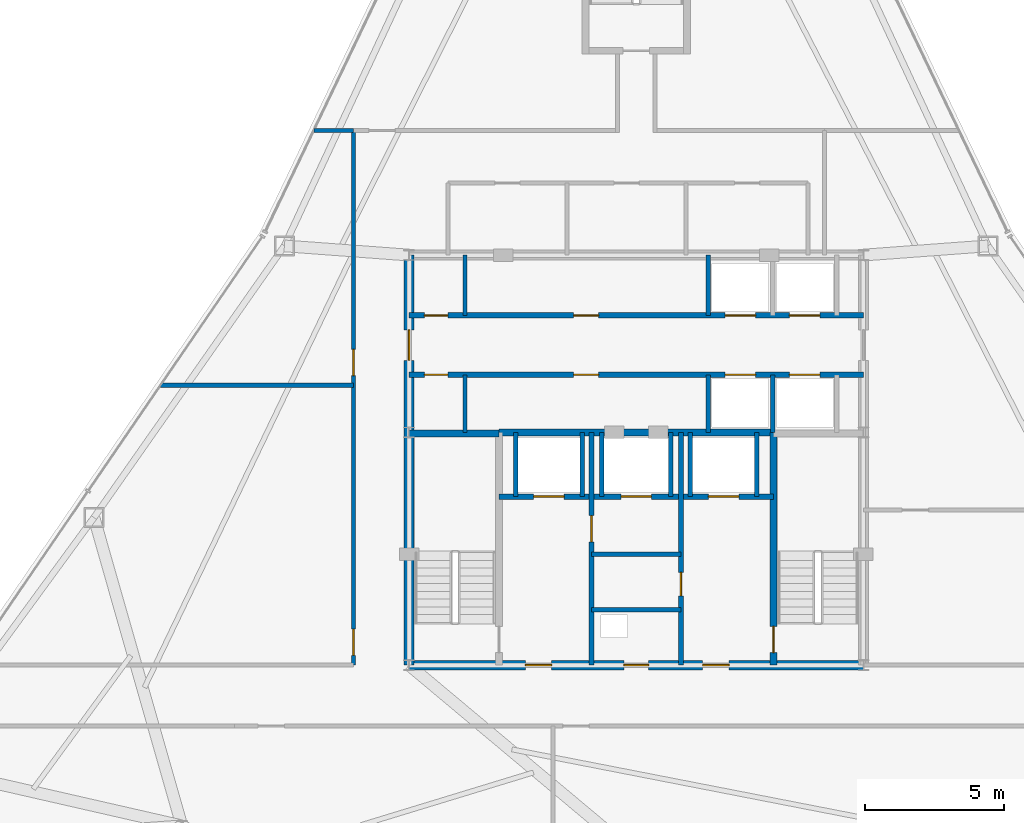
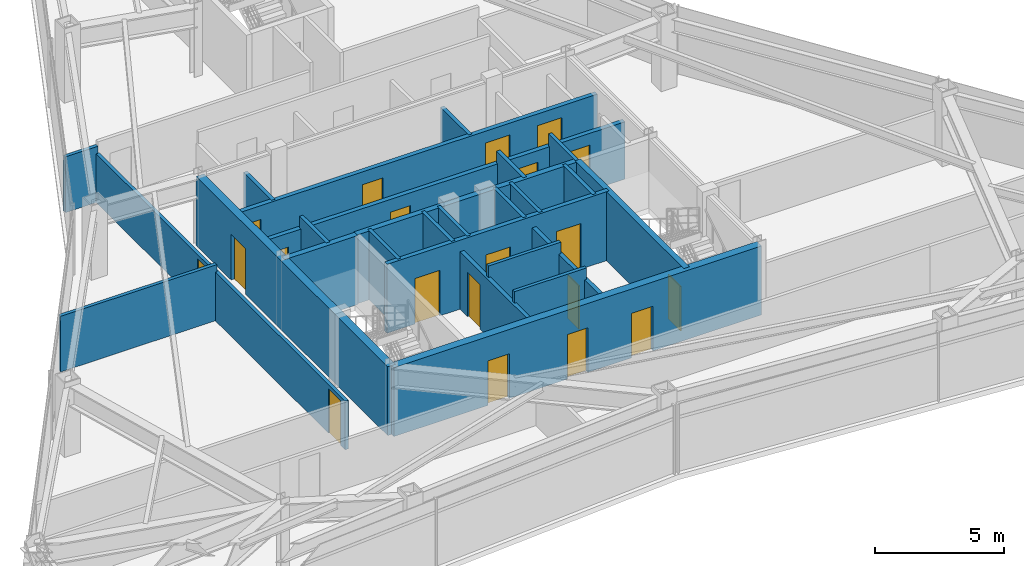
# One storey, part 9 of 11: 26 walls, 20 doors, 20 openings.
"""IFC4 building model written with IfcOpenShell, lengths in metres."""

from ifc_helpers import new_model, si_unit, direction, frame, frame_2d, origin, place, context, subcontext, project, spatial, rectangle, extrude, material, layer, layer_set, type_object, element, fill, save


model = new_model("IFC4")

# Units and contexts
model_context = context("Model", 3, precision=1e-05, world=origin(), true_north=direction((0.0, 1.0)))
body_context = subcontext(model_context, "Body", "Model", "MODEL_VIEW")
ifc_project = project(units=[si_unit("LENGTHUNIT", "METRE"), si_unit("AREAUNIT", "SQUARE_METRE"), si_unit("VOLUMEUNIT", "CUBIC_METRE"), si_unit("PLANEANGLEUNIT", "RADIAN"), si_unit("MASSUNIT", "GRAM", prefix="KILO")], contexts=[model_context])

# Site, building, storey
site_placement = place(None, origin())
site = spatial("IfcSite", under=ifc_project, at=site_placement, CompositionType="ELEMENT")
building_placement = place(site_placement, origin())
building = spatial("IfcBuilding", under=site, at=building_placement, Name="Varakhsha Concourse Tower", CompositionType="ELEMENT")
storey_placement = place(building_placement, frame((0.0, 0.0, 215.39990234375)))
storey = spatial("IfcBuildingStorey", under=building, at=storey_placement, Name="L61", CompositionType="ELEMENT", Elevation=215.39990234375)

# Wall, openings, doors
ifc_material_1 = material(Name="Concrete fc 65 MPa", Category="concrete")
ifc_layer_1 = layer(ifc_material_1, 0.35009765625, Name="WL-CORE-350")
ifc_layer_set_1 = layer_set([ifc_layer_1], Name="Concrete fc 65 MPa")
wall_type_1 = type_object("IfcWallType", Name="WL-CORE-350", PredefinedType="SHEAR", material=ifc_layer_set_1)
wall_1_placement = place(storey_placement, frame((31.800048828125, 16.39990234375, 0.0), z_axis=(0.0, 0.0, 1.0), x_axis=(1.0, 0.0, 0.0)))
wall_1 = element("IfcWall", 1, at=wall_1_placement, inside=storey, type_object=wall_type_1, Name="L61 Wall CWALL-S-L61", PredefinedType="SHEAR", context=body_context, shape_type="SweptSolid", body=[
    extrude(rectangle(XDim=16.39990234375, YDim=0.35009765625, at=frame_2d((8.199951171875, 0.0))), origin(), (0.0, 0.0, 1.0), 3.25),
])
opening_1_placement = place(wall_1_placement, frame((7.75, 0.0, 0.0)))
opening_1 = element("IfcOpeningElement", 2, at=opening_1_placement, cuts=wall_1, Name="Opening DF-06", PredefinedType="OPENING", context=body_context, shape_type="SweptSolid", body=[
    extrude(rectangle(XDim=0.89990234375, YDim=2.10009765625, at=frame_2d((0.449951171875, 1.050048828125))), frame((0.0, 0.18505859375, 0.0), z_axis=(0.0, -1.0, 0.0), x_axis=(1.0, 0.0, 0.0)), (0.0, 0.0, 1.0), 0.3701171875),
])
opening_2_placement = place(wall_1_placement, frame((4.199951171875, 0.0, 0.0)))
opening_2 = element("IfcOpeningElement", 3, at=opening_2_placement, cuts=wall_1, Name="Opening DF-05", PredefinedType="OPENING", context=body_context, shape_type="SweptSolid", body=[
    extrude(rectangle(XDim=0.949951171875, YDim=2.10009765625, at=frame_2d((0.47509765625, 1.050048828125))), frame((0.0, 0.18505859375, 0.0), z_axis=(0.0, -1.0, 0.0), x_axis=(1.0, 0.0, 0.0)), (0.0, 0.0, 1.0), 0.3701171875),
])
opening_3_placement = place(wall_1_placement, frame((10.60009765625, 0.0, 0.0)))
opening_3 = element("IfcOpeningElement", 4, at=opening_3_placement, cuts=wall_1, Name="Opening DF-05", PredefinedType="OPENING", context=body_context, shape_type="SweptSolid", body=[
    extrude(rectangle(XDim=0.949951171875, YDim=2.10009765625, at=frame_2d((0.47509765625, 1.050048828125))), frame((0.0, 0.18505859375, 0.0), z_axis=(0.0, -1.0, 0.0), x_axis=(1.0, 0.0, 0.0)), (0.0, 0.0, 1.0), 0.3701171875),
])
ifc_material_2 = material(Name="Hollow Galvanised Steel Fire Door Assembly", Category="steel")
door_type_1 = type_object("IfcDoorType", Name="DR-FD60-900", OperationType="NOTDEFINED", PredefinedType="DOOR", material=ifc_material_2)
door_1_placement = place(opening_1_placement, origin())
door_1 = element("IfcDoor", 5, at=door_1_placement, inside=storey, type_object=door_type_1, Name="L61 Electrical Riser Door", OperationType="SINGLE_SWING_LEFT", OverallHeight=2.10009765625, OverallWidth=0.89990234375, PredefinedType="DOOR", context=body_context, shape_type="SweptSolid", body=[
    extrude(rectangle(XDim=0.89990234375, YDim=2.10009765625, at=frame_2d((0.449951171875, 1.050048828125))), frame((0.0, 0.02490234375, 0.0), z_axis=(0.0, -1.0, 0.0), x_axis=(1.0, 0.0, 0.0)), (0.0, 0.0, 1.0), 0.050048828125),
])
fill(opening_1, door_1)
door_type_2 = type_object("IfcDoorType", Name="DR-FD60-950", OperationType="NOTDEFINED", PredefinedType="DOOR", material=ifc_material_2)
door_2_placement = place(opening_2_placement, origin())
door_2 = element("IfcDoor", 6, at=door_2_placement, inside=storey, type_object=door_type_2, Name="L61 Firefighting Lobby West Door", OperationType="SINGLE_SWING_RIGHT", OverallHeight=2.10009765625, OverallWidth=0.949951171875, PredefinedType="DOOR", context=body_context, shape_type="SweptSolid", body=[
    extrude(rectangle(XDim=0.949951171875, YDim=2.10009765625, at=frame_2d((0.47509765625, 1.050048828125))), frame((0.0, 0.02490234375, 0.0), z_axis=(0.0, -1.0, 0.0), x_axis=(1.0, 0.0, 0.0)), (0.0, 0.0, 1.0), 0.050048828125),
])
fill(opening_2, door_2)
door_3_placement = place(opening_3_placement, origin())
door_3 = element("IfcDoor", 7, at=door_3_placement, inside=storey, type_object=door_type_2, Name="L61 Firefighting Lobby East Door", OperationType="SINGLE_SWING_LEFT", OverallHeight=2.10009765625, OverallWidth=0.949951171875, PredefinedType="DOOR", context=body_context, shape_type="SweptSolid", body=[
    extrude(rectangle(XDim=0.949951171875, YDim=2.10009765625, at=frame_2d((0.47509765625, 1.050048828125))), frame((0.0, 0.02490234375, 0.0), z_axis=(0.0, -1.0, 0.0), x_axis=(1.0, 0.0, 0.0)), (0.0, 0.0, 1.0), 0.050048828125),
])
fill(opening_3, door_3)

# Wall, opening, door
wall_2_placement = place(storey_placement, frame((31.800048828125, 16.39990234375, 0.0), z_axis=(0.0, 0.0, 1.0), x_axis=(0.0, 1.0, 0.0)))
wall_2 = element("IfcWall", 8, at=wall_2_placement, inside=storey, type_object=wall_type_1, Name="L61 Wall CWALL-W-L61", PredefinedType="SHEAR", context=body_context, shape_type="SweptSolid", body=[
    extrude(rectangle(XDim=14.800048828125, YDim=0.35009765625, at=frame_2d((7.39990234375, 0.0))), origin(), (0.0, 0.0, 1.0), 3.25),
])
opening_4_placement = place(wall_2_placement, frame((11.0, 0.0, 0.0)))
opening_4 = element("IfcOpeningElement", 9, at=opening_4_placement, cuts=wall_2, Name="Opening DL-01", PredefinedType="OPENING", context=body_context, shape_type="SweptSolid", body=[
    extrude(rectangle(XDim=1.10009765625, YDim=2.14990234375, at=frame_2d((0.550048828125, 1.074951171875))), frame((0.0, 0.18505859375, 0.0), z_axis=(0.0, -1.0, 0.0), x_axis=(1.0, 0.0, 0.0)), (0.0, 0.0, 1.0), 0.3701171875),
])
ifc_material_3 = material(Name="Anodised Bronze Architectural Aluminium AA 6063-T6", Category="aluminium")
door_type_3 = type_object("IfcDoorType", Name="DR-LOB-1100", OperationType="NOTDEFINED", PredefinedType="DOOR", material=ifc_material_3)
door_4_placement = place(opening_4_placement, origin())
door_4 = element("IfcDoor", 10, at=door_4_placement, inside=storey, type_object=door_type_3, Name="L61 Lift Lobby West Concourse Door", OperationType="SINGLE_SWING_LEFT", OverallHeight=2.14990234375, OverallWidth=1.10009765625, PredefinedType="DOOR", context=body_context, shape_type="SweptSolid", body=[
    extrude(rectangle(XDim=1.10009765625, YDim=2.14990234375, at=frame_2d((0.550048828125, 1.074951171875))), frame((0.0, 0.02490234375, 0.0), z_axis=(0.0, -1.0, 0.0), x_axis=(1.0, 0.0, 0.0)), (0.0, 0.0, 1.0), 0.050048828125),
])
fill(opening_4, door_4)

ifc_material_4 = material(Name="Fire-Rated Type X Gypsum Partition Assembly", Category="gypsum")
ifc_layer_2 = layer(ifc_material_4, 0.179931640625, Name="WL-FFLOB-180")
ifc_layer_set_2 = layer_set([ifc_layer_2], Name="Fire-Rated Type X Gypsum Partition Assembly")
wall_type_2 = type_object("IfcWallType", Name="WL-FFLOB-180", PredefinedType="PARTITIONING", material=ifc_layer_set_2)
wall_3_placement = place(storey_placement, frame((38.389892578125, 16.39990234375, 0.0), z_axis=(0.0, 0.0, 1.0), x_axis=(0.0, 1.0, 0.0)))
wall_3 = element("IfcWall", 11, at=wall_3_placement, inside=storey, type_object=wall_type_2, Name="L61 Wall FFW-1E-L61", PredefinedType="PARTITIONING", context=body_context, shape_type="SweptSolid", body=[
    extrude(rectangle(XDim=8.400146484375, YDim=0.179931640625, at=frame_2d((4.2001953125, 0.0))), origin(), (0.0, 0.0, 1.0), 2.705078125),
])
opening_5_placement = place(wall_3_placement, frame((4.449951171875, 0.0, 0.0)))
opening_5 = element("IfcOpeningElement", 12, at=opening_5_placement, cuts=wall_3, Name="Opening DF-05", PredefinedType="OPENING", context=body_context, shape_type="SweptSolid", body=[
    extrude(rectangle(XDim=0.949951171875, YDim=2.10009765625, at=frame_2d((0.47509765625, 1.050048828125))), frame((0.0, 0.099853515625, 0.0), z_axis=(0.0, -1.0, 0.0), x_axis=(1.0, 0.0, 0.0)), (0.0, 0.0, 1.0), 0.199951171875),
])
door_5_placement = place(opening_5_placement, origin())
door_5 = element("IfcDoor", 13, at=door_5_placement, inside=storey, type_object=door_type_2, Name="L61 Service Vestibule Door", OperationType="SINGLE_SWING_RIGHT", OverallHeight=2.10009765625, OverallWidth=0.949951171875, PredefinedType="DOOR", context=body_context, shape_type="SweptSolid", body=[
    extrude(rectangle(XDim=0.949951171875, YDim=2.10009765625, at=frame_2d((0.47509765625, 1.050048828125))), frame((0.0, 0.02490234375, 0.0), z_axis=(0.0, -1.0, 0.0), x_axis=(1.0, 0.0, 0.0)), (0.0, 0.0, 1.0), 0.050048828125),
])
fill(opening_5, door_5)

wall_4_placement = place(storey_placement, frame((41.610107421875, 16.39990234375, 0.0), z_axis=(0.0, 0.0, 1.0), x_axis=(0.0, 1.0, 0.0)))
wall_4 = element("IfcWall", 14, at=wall_4_placement, inside=storey, type_object=wall_type_2, Name="L61 Wall FFW-2W-L61", PredefinedType="PARTITIONING", context=body_context, shape_type="SweptSolid", body=[
    extrude(rectangle(XDim=8.400146484375, YDim=0.179931640625, at=frame_2d((4.2001953125, 0.0))), origin(), (0.0, 0.0, 1.0), 2.705078125),
])
opening_6_placement = place(wall_4_placement, frame((2.5, 0.0, 0.0)))
opening_6 = element("IfcOpeningElement", 15, at=opening_6_placement, cuts=wall_4, Name="Opening DF-07", PredefinedType="OPENING", context=body_context, shape_type="SweptSolid", body=[
    extrude(rectangle(XDim=0.85009765625, YDim=2.050048828125, at=frame_2d((0.425048828125, 1.02490234375))), frame((0.0, 0.099853515625, 0.0), z_axis=(0.0, -1.0, 0.0), x_axis=(1.0, 0.0, 0.0)), (0.0, 0.0, 1.0), 0.199951171875),
])
door_type_4 = type_object("IfcDoorType", Name="DR-FD60-850", OperationType="NOTDEFINED", PredefinedType="DOOR", material=ifc_material_2)
door_6_placement = place(opening_6_placement, origin())
door_6 = element("IfcDoor", 16, at=door_6_placement, inside=storey, type_object=door_type_4, Name="L61 Telecoms Node Door", OperationType="SINGLE_SWING_LEFT", OverallHeight=2.050048828125, OverallWidth=0.85009765625, PredefinedType="DOOR", context=body_context, shape_type="SweptSolid", body=[
    extrude(rectangle(XDim=0.85009765625, YDim=2.050048828125, at=frame_2d((0.425048828125, 1.02490234375))), frame((0.0, 0.02490234375, 0.0), z_axis=(0.0, -1.0, 0.0), x_axis=(1.0, 0.0, 0.0)), (0.0, 0.0, 1.0), 0.050048828125),
])
fill(opening_6, door_6)

# Walls
ifc_layer_3 = layer(ifc_material_4, 0.14990234375, Name="WL-PART-150")
ifc_layer_set_3 = layer_set([ifc_layer_3], Name="Fire-Rated Type X Gypsum Partition Assembly")
wall_type_3 = type_object("IfcWallType", Name="WL-PART-150", PredefinedType="PARTITIONING", material=ifc_layer_set_3)
for number, where, z_axis, x_axis, name in (
    (17, (38.389892578125, 18.39990234375, 0.0), (0.0, 0.0, 1.0), (1.0, 0.0, 0.0), "L61 Wall RSW-H1-L61"),
    (18, (38.389892578125, 20.39990234375, 0.0), (0.0, 0.0, 1.0), (1.0, 0.0, 0.0), "L61 Wall RSW-H2-L61"),
):
    element("IfcWall", number, at=place(storey_placement, frame(where, z_axis=z_axis, x_axis=x_axis)), inside=storey, type_object=wall_type_3, Name=name, PredefinedType="PARTITIONING", context=body_context, shape_type="SweptSolid", body=[
        extrude(rectangle(XDim=3.22021484375, YDim=0.14990234375, at=frame_2d((1.610107421875, 0.0))), origin(), (0.0, 0.0, 1.0), 3.25),
    ])

# Wall, openings, doors
wall_5_placement = place(storey_placement, frame((29.800048828125, 16.39990234375, 0.0), z_axis=(0.0, 0.0, 1.0), x_axis=(0.0, 1.0, 0.0)))
wall_5 = element("IfcWall", 19, at=wall_5_placement, inside=storey, type_object=wall_type_3, Name="L61 Wall CRW-W-L61", PredefinedType="PARTITIONING", context=body_context, shape_type="SweptSolid", body=[
    extrude(rectangle(XDim=19.300048828125, YDim=0.14990234375, at=frame_2d((9.64990234375, 0.0))), origin(), (0.0, 0.0, 1.0), 2.2919921875),
])
opening_7_placement = place(wall_5_placement, frame((0.35009765625, 0.0, 0.0)))
opening_7 = element("IfcOpeningElement", 20, at=opening_7_placement, cuts=wall_5, Name="Opening DF-05", PredefinedType="OPENING", context=body_context, shape_type="SweptSolid", body=[
    extrude(rectangle(XDim=0.949951171875, YDim=2.10009765625, at=frame_2d((0.47509765625, 1.050048828125))), frame((0.0, 0.0849609375, 0.0), z_axis=(0.0, -1.0, 0.0), x_axis=(1.0, 0.0, 0.0)), (0.0, 0.0, 1.0), 0.169921875),
])
opening_8_placement = place(wall_5_placement, frame((10.449951171875, 0.0, 0.0)))
opening_8 = element("IfcOpeningElement", 21, at=opening_8_placement, cuts=wall_5, Name="Opening DF-05", PredefinedType="OPENING", context=body_context, shape_type="SweptSolid", body=[
    extrude(rectangle(XDim=0.949951171875, YDim=2.10009765625, at=frame_2d((0.47509765625, 1.050048828125))), frame((0.0, 0.0849609375, 0.0), z_axis=(0.0, -1.0, 0.0), x_axis=(1.0, 0.0, 0.0)), (0.0, 0.0, 1.0), 0.169921875),
])
door_7_placement = place(opening_7_placement, origin())
door_7 = element("IfcDoor", 22, at=door_7_placement, inside=storey, type_object=door_type_2, Name="L61 Institutional Client Office L61 Door", OperationType="SINGLE_SWING_LEFT", OverallHeight=2.10009765625, OverallWidth=0.949951171875, PredefinedType="DOOR", context=body_context, shape_type="SweptSolid", body=[
    extrude(rectangle(XDim=0.949951171875, YDim=2.10009765625, at=frame_2d((0.47509765625, 1.050048828125))), frame((0.0, 0.02490234375, 0.0), z_axis=(0.0, -1.0, 0.0), x_axis=(1.0, 0.0, 0.0)), (0.0, 0.0, 1.0), 0.050048828125),
])
fill(opening_7, door_7)
door_8_placement = place(opening_8_placement, origin())
door_8 = element("IfcDoor", 23, at=door_8_placement, inside=storey, type_object=door_type_2, Name="L61 Quantitative Analytics Studio L61-W2 Door", OperationType="SINGLE_SWING_RIGHT", OverallHeight=2.10009765625, OverallWidth=0.949951171875, PredefinedType="DOOR", context=body_context, shape_type="SweptSolid", body=[
    extrude(rectangle(XDim=0.949951171875, YDim=2.10009765625, at=frame_2d((0.47509765625, 1.050048828125))), frame((0.0, 0.02490234375, 0.0), z_axis=(0.0, -1.0, 0.0), x_axis=(1.0, 0.0, 0.0)), (0.0, 0.0, 1.0), 0.050048828125),
])
fill(opening_8, door_8)

# Walls
wall_6_placement = place(storey_placement, frame((28.361083984375, 35.699951171875, 0.0), z_axis=(0.0, 0.0, 1.0), x_axis=(1.0, 0.0, 0.0)))
element("IfcWall", 24, at=wall_6_placement, inside=storey, type_object=wall_type_3, Name="L61 Wall ODIV-WBN-L61", PredefinedType="PARTITIONING", context=body_context, shape_type="SweptSolid", body=[
    extrude(rectangle(XDim=1.43896484375, YDim=0.14990234375, at=frame_2d((0.719482421875, 0.0))), origin(), (0.0, 0.0, 1.0), 2.628173828125),
])
wall_7_placement = place(storey_placement, frame((22.8310546875, 26.5, 0.0), z_axis=(0.0, 0.0, 1.0), x_axis=(1.0, 0.0, 0.0)))
element("IfcWall", 25, at=wall_7_placement, inside=storey, type_object=wall_type_3, Name="L61 Wall ODIV-W1-L61", PredefinedType="PARTITIONING", context=body_context, shape_type="SweptSolid", body=[
    extrude(rectangle(XDim=6.968994140625, YDim=0.14990234375, at=frame_2d((3.484375, 0.0))), origin(), (0.0, 0.0, 1.0), 2.628173828125),
])

# Wall, openings, doors
ifc_layer_4 = layer(ifc_material_4, 0.199951171875, Name="WL-SHAFT-220")
ifc_layer_set_4 = layer_set([ifc_layer_4], Name="Fire-Rated Type X Gypsum Partition Assembly")
wall_type_4 = type_object("IfcWallType", Name="WL-SHAFT-220", PredefinedType="SOLIDWALL", material=ifc_layer_set_4)
wall_8_placement = place(storey_placement, frame((35.044921875, 22.47998046875, 0.0), z_axis=(0.0, 0.0, 1.0), x_axis=(1.0, 0.0, 0.0)))
wall_8 = element("IfcWall", 26, at=wall_8_placement, inside=storey, type_object=wall_type_4, Name="L61 Wall FFW-NH-L61", PredefinedType="SOLIDWALL", context=body_context, shape_type="SweptSolid", body=[
    extrude(rectangle(XDim=9.91015625, YDim=0.199951171875, at=frame_2d((4.955078125, 0.0))), origin(), (0.0, 0.0, 1.0), 3.25),
])
opening_9_placement = place(wall_8_placement, frame((1.2548828125, 0.0, 0.0)))
opening_9 = element("IfcOpeningElement", 27, at=opening_9_placement, cuts=wall_8, Name="Opening LD-FFL-1", PredefinedType="OPENING", context=body_context, shape_type="SweptSolid", body=[
    extrude(rectangle(XDim=1.10009765625, YDim=2.14990234375, at=frame_2d((0.550048828125, 1.074951171875))), frame((0.0, 0.10986328125, 0.0), z_axis=(0.0, -1.0, 0.0), x_axis=(1.0, 0.0, 0.0)), (0.0, 0.0, 1.0), 0.219970703125),
])
opening_10_placement = place(wall_8_placement, frame((7.554931640625, 0.0, 0.0)))
opening_10 = element("IfcOpeningElement", 28, at=opening_10_placement, cuts=wall_8, Name="Opening LD-FFL-2", PredefinedType="OPENING", context=body_context, shape_type="SweptSolid", body=[
    extrude(rectangle(XDim=1.10009765625, YDim=2.14990234375, at=frame_2d((0.550048828125, 1.074951171875))), frame((0.0, 0.10986328125, 0.0), z_axis=(0.0, -1.0, 0.0), x_axis=(1.0, 0.0, 0.0)), (0.0, 0.0, 1.0), 0.219970703125),
])
opening_11_placement = place(wall_8_placement, frame((4.405029296875, 0.0, 0.0)))
opening_11 = element("IfcOpeningElement", 29, at=opening_11_placement, cuts=wall_8, Name="Opening LD-SVL-1", PredefinedType="OPENING", context=body_context, shape_type="SweptSolid", body=[
    extrude(rectangle(XDim=1.10009765625, YDim=2.14990234375, at=frame_2d((0.550048828125, 1.074951171875))), frame((0.0, 0.10986328125, 0.0), z_axis=(0.0, -1.0, 0.0), x_axis=(1.0, 0.0, 0.0)), (0.0, 0.0, 1.0), 0.219970703125),
])
ifc_material_5 = material(Name="Brushed Austenitic Stainless Steel AISI 316", Category="steel")
door_type_5 = type_object("IfcDoorType", Name="DR-LD-1100", OperationType="DOUBLE_DOOR_SLIDING", PredefinedType="DOOR", material=ifc_material_5)
door_9_placement = place(opening_9_placement, origin())
door_9 = element("IfcDoor", 30, at=door_9_placement, inside=storey, type_object=door_type_5, Name="Lift Landing Door FFL-1 L61", OperationType="DOUBLE_DOOR_SLIDING", OverallHeight=2.14990234375, OverallWidth=1.10009765625, PredefinedType="DOOR", context=body_context, shape_type="SweptSolid", body=[
    extrude(rectangle(XDim=1.10009765625, YDim=2.14990234375, at=frame_2d((0.550048828125, 1.074951171875))), frame((0.0, 0.02490234375, 0.0), z_axis=(0.0, -1.0, 0.0), x_axis=(1.0, 0.0, 0.0)), (0.0, 0.0, 1.0), 0.050048828125),
])
fill(opening_9, door_9)
door_10_placement = place(opening_10_placement, origin())
door_10 = element("IfcDoor", 31, at=door_10_placement, inside=storey, type_object=door_type_5, Name="Lift Landing Door FFL-2 L61", OperationType="DOUBLE_DOOR_SLIDING", OverallHeight=2.14990234375, OverallWidth=1.10009765625, PredefinedType="DOOR", context=body_context, shape_type="SweptSolid", body=[
    extrude(rectangle(XDim=1.10009765625, YDim=2.14990234375, at=frame_2d((0.550048828125, 1.074951171875))), frame((0.0, 0.02490234375, 0.0), z_axis=(0.0, -1.0, 0.0), x_axis=(1.0, 0.0, 0.0)), (0.0, 0.0, 1.0), 0.050048828125),
])
fill(opening_10, door_10)
door_11_placement = place(opening_11_placement, origin())
door_11 = element("IfcDoor", 32, at=door_11_placement, inside=storey, type_object=door_type_5, Name="Lift Landing Door SVL-1 L61", OperationType="DOUBLE_DOOR_SLIDING", OverallHeight=2.14990234375, OverallWidth=1.10009765625, PredefinedType="DOOR", context=body_context, shape_type="SweptSolid", body=[
    extrude(rectangle(XDim=1.10009765625, YDim=2.14990234375, at=frame_2d((0.550048828125, 1.074951171875))), frame((0.0, 0.02490234375, 0.0), z_axis=(0.0, -1.0, 0.0), x_axis=(1.0, 0.0, 0.0)), (0.0, 0.0, 1.0), 0.050048828125),
])
fill(opening_11, door_11)

# Walls
for number, where, z_axis, x_axis, name in (
    (33, (35.64990234375, 22.47998046875, 0.0), (0.0, 0.0, 1.0), (0.0, 1.0, 0.0), "L61 Wall SHW-FFL-1-W-L61"),
    (34, (38.050048828125, 22.47998046875, 0.0), (0.0, 0.0, 1.0), (0.0, 1.0, 0.0), "L61 Wall SHW-FFL-1-E-L61"),
    (35, (41.949951171875, 22.47998046875, 0.0), (0.0, 0.0, 1.0), (0.0, 1.0, 0.0), "L61 Wall SHW-FFL-2-W-L61"),
    (36, (44.35009765625, 22.47998046875, 0.0), (0.0, 0.0, 1.0), (0.0, 1.0, 0.0), "L61 Wall SHW-FFL-2-E-L61"),
    (37, (38.75, 22.47998046875, 0.0), (0.0, 0.0, 1.0), (0.0, 1.0, 0.0), "L61 Wall SHW-SVL-1-W-L61"),
    (38, (41.25, 22.47998046875, 0.0), (0.0, 0.0, 1.0), (0.0, 1.0, 0.0), "L61 Wall SHW-SVL-1-E-L61"),
):
    element("IfcWall", number, at=place(storey_placement, frame(where, z_axis=z_axis, x_axis=x_axis)), inside=storey, type_object=wall_type_4, Name=name, PredefinedType="SOLIDWALL", context=body_context, shape_type="SweptSolid", body=[
        extrude(rectangle(XDim=2.320068359375, YDim=0.159912109375, at=frame_2d((1.16015625, 0.0))), origin(), (0.0, 0.0, 1.0), 3.25),
    ])

# Wall, openings, doors
wall_9_placement = place(storey_placement, frame((31.800048828125, 29.02001953125, 0.0), z_axis=(0.0, 0.0, 1.0), x_axis=(1.0, 0.0, 0.0)))
wall_9 = element("IfcWall", 39, at=wall_9_placement, inside=storey, type_object=wall_type_4, Name="L61 Wall PLW-N-L61", PredefinedType="SOLIDWALL", context=body_context, shape_type="SweptSolid", body=[
    extrude(rectangle(XDim=16.39990234375, YDim=0.199951171875, at=frame_2d((8.199951171875, 0.0))), origin(), (0.0, 0.0, 1.0), 2.705078125),
])
opening_12_placement = place(wall_9_placement, frame((0.550048828125, 0.0, 0.0)))
opening_12 = element("IfcOpeningElement", 40, at=opening_12_placement, cuts=wall_9, Name="Opening DF-07", PredefinedType="OPENING", context=body_context, shape_type="SweptSolid", body=[
    extrude(rectangle(XDim=0.85009765625, YDim=2.050048828125, at=frame_2d((0.425048828125, 1.02490234375))), frame((0.0, 0.10986328125, 0.0), z_axis=(0.0, -1.0, 0.0), x_axis=(1.0, 0.0, 0.0)), (0.0, 0.0, 1.0), 0.219970703125),
])
opening_13_placement = place(wall_9_placement, frame((5.93994140625, 0.0, 0.0)))
opening_13 = element("IfcOpeningElement", 41, at=opening_13_placement, cuts=wall_9, Name="Opening DF-06", PredefinedType="OPENING", context=body_context, shape_type="SweptSolid", body=[
    extrude(rectangle(XDim=0.89990234375, YDim=2.10009765625, at=frame_2d((0.449951171875, 1.050048828125))), frame((0.0, 0.10986328125, 0.0), z_axis=(0.0, -1.0, 0.0), x_axis=(1.0, 0.0, 0.0)), (0.0, 0.0, 1.0), 0.219970703125),
])
opening_14_placement = place(wall_9_placement, frame((11.409912109375, 0.0, 0.0)))
opening_14 = element("IfcOpeningElement", 42, at=opening_14_placement, cuts=wall_9, Name="Opening LD-LF-P09", PredefinedType="OPENING", context=body_context, shape_type="SweptSolid", body=[
    extrude(rectangle(XDim=1.10009765625, YDim=2.14990234375, at=frame_2d((0.550048828125, 1.074951171875))), frame((0.0, 0.10986328125, 0.0), z_axis=(0.0, -1.0, 0.0), x_axis=(1.0, 0.0, 0.0)), (0.0, 0.0, 1.0), 0.219970703125),
])
opening_15_placement = place(wall_9_placement, frame((13.72998046875, 0.0, 0.0)))
opening_15 = element("IfcOpeningElement", 43, at=opening_15_placement, cuts=wall_9, Name="Opening LD-LF-P10", PredefinedType="OPENING", context=body_context, shape_type="SweptSolid", body=[
    extrude(rectangle(XDim=1.10009765625, YDim=2.14990234375, at=frame_2d((0.550048828125, 1.074951171875))), frame((0.0, 0.10986328125, 0.0), z_axis=(0.0, -1.0, 0.0), x_axis=(1.0, 0.0, 0.0)), (0.0, 0.0, 1.0), 0.219970703125),
])
door_12_placement = place(opening_12_placement, origin())
door_12 = element("IfcDoor", 44, at=door_12_placement, inside=storey, type_object=door_type_4, Name="L61 Core Janitor Closet Door", OperationType="SINGLE_SWING_LEFT", OverallHeight=2.050048828125, OverallWidth=0.85009765625, PredefinedType="DOOR", context=body_context, shape_type="SweptSolid", body=[
    extrude(rectangle(XDim=0.85009765625, YDim=2.050048828125, at=frame_2d((0.425048828125, 1.02490234375))), frame((0.0, 0.02490234375, 0.0), z_axis=(0.0, -1.0, 0.0), x_axis=(1.0, 0.0, 0.0)), (0.0, 0.0, 1.0), 0.050048828125),
])
fill(opening_12, door_12)
door_13_placement = place(opening_13_placement, origin())
door_13 = element("IfcDoor", 45, at=door_13_placement, inside=storey, type_object=door_type_1, Name="L61 Tenant Archive and IT Server Room Door", OperationType="SINGLE_SWING_LEFT", OverallHeight=2.10009765625, OverallWidth=0.89990234375, PredefinedType="DOOR", context=body_context, shape_type="SweptSolid", body=[
    extrude(rectangle(XDim=0.89990234375, YDim=2.10009765625, at=frame_2d((0.449951171875, 1.050048828125))), frame((0.0, 0.02490234375, 0.0), z_axis=(0.0, -1.0, 0.0), x_axis=(1.0, 0.0, 0.0)), (0.0, 0.0, 1.0), 0.050048828125),
])
fill(opening_13, door_13)
door_14_placement = place(opening_14_placement, origin())
door_14 = element("IfcDoor", 46, at=door_14_placement, inside=storey, type_object=door_type_5, Name="Lift Landing Door LF-P09 L61", OperationType="DOUBLE_DOOR_SLIDING", OverallHeight=2.14990234375, OverallWidth=1.10009765625, PredefinedType="DOOR", context=body_context, shape_type="SweptSolid", body=[
    extrude(rectangle(XDim=1.10009765625, YDim=2.14990234375, at=frame_2d((0.550048828125, 1.074951171875))), frame((0.0, 0.02490234375, 0.0), z_axis=(0.0, -1.0, 0.0), x_axis=(1.0, 0.0, 0.0)), (0.0, 0.0, 1.0), 0.050048828125),
])
fill(opening_14, door_14)
door_15_placement = place(opening_15_placement, origin())
door_15 = element("IfcDoor", 47, at=door_15_placement, inside=storey, type_object=door_type_5, Name="Lift Landing Door LF-P10 L61", OperationType="DOUBLE_DOOR_SLIDING", OverallHeight=2.14990234375, OverallWidth=1.10009765625, PredefinedType="DOOR", context=body_context, shape_type="SweptSolid", body=[
    extrude(rectangle(XDim=1.10009765625, YDim=2.14990234375, at=frame_2d((0.550048828125, 1.074951171875))), frame((0.0, 0.02490234375, 0.0), z_axis=(0.0, -1.0, 0.0), x_axis=(1.0, 0.0, 0.0)), (0.0, 0.0, 1.0), 0.050048828125),
])
fill(opening_15, door_15)

wall_10_placement = place(storey_placement, frame((31.800048828125, 26.8798828125, 0.0), z_axis=(0.0, 0.0, 1.0), x_axis=(1.0, 0.0, 0.0)))
wall_10 = element("IfcWall", 48, at=wall_10_placement, inside=storey, type_object=wall_type_4, Name="L61 Wall PLW-S-L61", PredefinedType="SOLIDWALL", context=body_context, shape_type="SweptSolid", body=[
    extrude(rectangle(XDim=16.39990234375, YDim=0.199951171875, at=frame_2d((8.199951171875, 0.0))), origin(), (0.0, 0.0, 1.0), 2.705078125),
])
opening_16_placement = place(wall_10_placement, frame((0.550048828125, 0.0, 0.0)))
opening_16 = element("IfcOpeningElement", 49, at=opening_16_placement, cuts=wall_10, Name="Opening DF-07", PredefinedType="OPENING", context=body_context, shape_type="SweptSolid", body=[
    extrude(rectangle(XDim=0.85009765625, YDim=2.050048828125, at=frame_2d((0.425048828125, 1.02490234375))), frame((0.0, 0.10986328125, 0.0), z_axis=(0.0, -1.0, 0.0), x_axis=(1.0, 0.0, 0.0)), (0.0, 0.0, 1.0), 0.219970703125),
])
opening_17_placement = place(wall_10_placement, frame((5.93994140625, 0.0, 0.0)))
opening_17 = element("IfcOpeningElement", 50, at=opening_17_placement, cuts=wall_10, Name="Opening DF-06", PredefinedType="OPENING", context=body_context, shape_type="SweptSolid", body=[
    extrude(rectangle(XDim=0.89990234375, YDim=2.10009765625, at=frame_2d((0.449951171875, 1.050048828125))), frame((0.0, 0.10986328125, 0.0), z_axis=(0.0, -1.0, 0.0), x_axis=(1.0, 0.0, 0.0)), (0.0, 0.0, 1.0), 0.219970703125),
])
opening_18_placement = place(wall_10_placement, frame((11.409912109375, 0.0, 0.0)))
opening_18 = element("IfcOpeningElement", 51, at=opening_18_placement, cuts=wall_10, Name="Opening LD-LF-P11", PredefinedType="OPENING", context=body_context, shape_type="SweptSolid", body=[
    extrude(rectangle(XDim=1.10009765625, YDim=2.14990234375, at=frame_2d((0.550048828125, 1.074951171875))), frame((0.0, 0.10986328125, 0.0), z_axis=(0.0, -1.0, 0.0), x_axis=(1.0, 0.0, 0.0)), (0.0, 0.0, 1.0), 0.219970703125),
])
opening_19_placement = place(wall_10_placement, frame((13.72998046875, 0.0, 0.0)))
opening_19 = element("IfcOpeningElement", 52, at=opening_19_placement, cuts=wall_10, Name="Opening LD-LF-P12", PredefinedType="OPENING", context=body_context, shape_type="SweptSolid", body=[
    extrude(rectangle(XDim=1.10009765625, YDim=2.14990234375, at=frame_2d((0.550048828125, 1.074951171875))), frame((0.0, 0.10986328125, 0.0), z_axis=(0.0, -1.0, 0.0), x_axis=(1.0, 0.0, 0.0)), (0.0, 0.0, 1.0), 0.219970703125),
])
door_16_placement = place(opening_16_placement, origin())
door_16 = element("IfcDoor", 53, at=door_16_placement, inside=storey, type_object=door_type_4, Name="L61 Core Telecoms Closet Door", OperationType="SINGLE_SWING_RIGHT", OverallHeight=2.050048828125, OverallWidth=0.85009765625, PredefinedType="DOOR", context=body_context, shape_type="SweptSolid", body=[
    extrude(rectangle(XDim=0.85009765625, YDim=2.050048828125, at=frame_2d((0.425048828125, 1.02490234375))), frame((0.0, 0.02490234375, 0.0), z_axis=(0.0, -1.0, 0.0), x_axis=(1.0, 0.0, 0.0)), (0.0, 0.0, 1.0), 0.050048828125),
])
fill(opening_16, door_16)
door_17_placement = place(opening_17_placement, origin())
door_17 = element("IfcDoor", 54, at=door_17_placement, inside=storey, type_object=door_type_1, Name="L61 Executive Pantry and Copy Suite Door", OperationType="SINGLE_SWING_RIGHT", OverallHeight=2.10009765625, OverallWidth=0.89990234375, PredefinedType="DOOR", context=body_context, shape_type="SweptSolid", body=[
    extrude(rectangle(XDim=0.89990234375, YDim=2.10009765625, at=frame_2d((0.449951171875, 1.050048828125))), frame((0.0, 0.02490234375, 0.0), z_axis=(0.0, -1.0, 0.0), x_axis=(1.0, 0.0, 0.0)), (0.0, 0.0, 1.0), 0.050048828125),
])
fill(opening_17, door_17)
door_18_placement = place(opening_18_placement, origin())
door_18 = element("IfcDoor", 55, at=door_18_placement, inside=storey, type_object=door_type_5, Name="Lift Landing Door LF-P11 L61", OperationType="DOUBLE_DOOR_SLIDING", OverallHeight=2.14990234375, OverallWidth=1.10009765625, PredefinedType="DOOR", context=body_context, shape_type="SweptSolid", body=[
    extrude(rectangle(XDim=1.10009765625, YDim=2.14990234375, at=frame_2d((0.550048828125, 1.074951171875))), frame((0.0, 0.02490234375, 0.0), z_axis=(0.0, -1.0, 0.0), x_axis=(1.0, 0.0, 0.0)), (0.0, 0.0, 1.0), 0.050048828125),
])
fill(opening_18, door_18)
door_19_placement = place(opening_19_placement, origin())
door_19 = element("IfcDoor", 56, at=door_19_placement, inside=storey, type_object=door_type_5, Name="Lift Landing Door LF-P12 L61", OperationType="DOUBLE_DOOR_SLIDING", OverallHeight=2.14990234375, OverallWidth=1.10009765625, PredefinedType="DOOR", context=body_context, shape_type="SweptSolid", body=[
    extrude(rectangle(XDim=1.10009765625, YDim=2.14990234375, at=frame_2d((0.550048828125, 1.074951171875))), frame((0.0, 0.02490234375, 0.0), z_axis=(0.0, -1.0, 0.0), x_axis=(1.0, 0.0, 0.0)), (0.0, 0.0, 1.0), 0.050048828125),
])
fill(opening_19, door_19)

# Walls
wall_11_placement = place(storey_placement, frame((33.820068359375, 29.02001953125, 0.0), z_axis=(0.0, 0.0, 1.0), x_axis=(0.0, 1.0, 0.0)))
element("IfcWall", 57, at=wall_11_placement, inside=storey, type_object=wall_type_4, Name="L61 Wall WBOH-E1-L61", PredefinedType="SOLIDWALL", context=body_context, shape_type="SweptSolid", body=[
    extrude(rectangle(XDim=2.179931640625, YDim=0.159912109375, at=frame_2d((1.08984375, 0.0))), origin(), (0.0, 0.0, 1.0), 2.705078125),
])
wall_12_placement = place(storey_placement, frame((33.820068359375, 24.800048828125, 0.0), z_axis=(0.0, 0.0, 1.0), x_axis=(0.0, 1.0, 0.0)))
element("IfcWall", 58, at=wall_12_placement, inside=storey, type_object=wall_type_4, Name="L61 Wall WBOH-E2-L61", PredefinedType="SOLIDWALL", context=body_context, shape_type="SweptSolid", body=[
    extrude(rectangle(XDim=2.079833984375, YDim=0.159912109375, at=frame_2d((1.0400390625, 0.0))), origin(), (0.0, 0.0, 1.0), 3.25),
])
wall_13_placement = place(storey_placement, frame((42.60009765625, 29.02001953125, 0.0), z_axis=(0.0, 0.0, 1.0), x_axis=(0.0, 1.0, 0.0)))
element("IfcWall", 59, at=wall_13_placement, inside=storey, type_object=wall_type_4, Name="L61 Wall SHW-LF-P09-W-L61", PredefinedType="SOLIDWALL", context=body_context, shape_type="SweptSolid", body=[
    extrude(rectangle(XDim=2.179931640625, YDim=0.159912109375, at=frame_2d((1.08984375, 0.0))), origin(), (0.0, 0.0, 1.0), 2.705078125),
])
for number, where, z_axis, x_axis, name in (
    (60, (42.60009765625, 24.800048828125, 0.0), (0.0, 0.0, 1.0), (0.0, 1.0, 0.0), "L61 Wall SHW-LF-P11-W-L61"),
    (61, (44.919921875, 24.800048828125, 0.0), (0.0, 0.0, 1.0), (0.0, 1.0, 0.0), "L61 Wall SHW-LF-P11-E-L61"),
):
    element("IfcWall", number, at=place(storey_placement, frame(where, z_axis=z_axis, x_axis=x_axis)), inside=storey, type_object=wall_type_4, Name=name, PredefinedType="SOLIDWALL", context=body_context, shape_type="SweptSolid", body=[
        extrude(rectangle(XDim=2.079833984375, YDim=0.159912109375, at=frame_2d((1.0400390625, 0.0))), origin(), (0.0, 0.0, 1.0), 3.25),
    ])
ifc_material_6 = material(Name="Concrete fc 45 MPa", Category="concrete")
ifc_layer_5 = layer(ifc_material_6, 0.25, Name="WL-STAIR-250")
ifc_layer_set_5 = layer_set([ifc_layer_5], Name="Concrete fc 45 MPa")
wall_type_5 = type_object("IfcWallType", Name="WL-STAIR-250", PredefinedType="SHEAR", material=ifc_layer_set_5)
wall_14_placement = place(storey_placement, frame((31.800048828125, 24.7548828125, 0.0), z_axis=(0.0, 0.0, 1.0), x_axis=(1.0, 0.0, 0.0)))
element("IfcWall", 62, at=wall_14_placement, inside=storey, type_object=wall_type_5, Name="L61 Wall SWALL-ST1-N-L61", PredefinedType="SHEAR", context=body_context, shape_type="SweptSolid", body=[
    extrude(rectangle(XDim=3.244873046875, YDim=0.25, at=frame_2d((1.62255859375, 0.0))), origin(), (0.0, 0.0, 1.0), 3.25),
])

# Wall, opening, door
wall_15_placement = place(storey_placement, frame((44.955078125, 16.39990234375, 0.0), z_axis=(0.0, 0.0, 1.0), x_axis=(0.0, 1.0, 0.0)))
wall_15 = element("IfcWall", 63, at=wall_15_placement, inside=storey, type_object=wall_type_5, Name="L61 Wall SWALL-ST2-W-L61", PredefinedType="SHEAR", context=body_context, shape_type="SweptSolid", body=[
    extrude(rectangle(XDim=8.400146484375, YDim=0.25, at=frame_2d((4.2001953125, 0.0))), origin(), (0.0, 0.0, 1.0), 3.25),
])
opening_20_placement = place(wall_15_placement, frame((0.449951171875, 0.0, 0.0)))
opening_20 = element("IfcOpeningElement", 64, at=opening_20_placement, cuts=wall_15, Name="Opening DF-03", PredefinedType="OPENING", context=body_context, shape_type="SweptSolid", body=[
    extrude(rectangle(XDim=0.949951171875, YDim=2.10009765625, at=frame_2d((0.47509765625, 1.050048828125))), frame((0.0, 0.135009765625, 0.0), z_axis=(0.0, -1.0, 0.0), x_axis=(1.0, 0.0, 0.0)), (0.0, 0.0, 1.0), 0.27001953125),
])
door_type_6 = type_object("IfcDoorType", Name="DR-FD90-950", OperationType="NOTDEFINED", PredefinedType="DOOR", material=ifc_material_2)
door_20_placement = place(opening_20_placement, origin())
door_20 = element("IfcDoor", 65, at=door_20_placement, inside=storey, type_object=door_type_6, Name="L61 Stair ST2 Fire Door", OperationType="SINGLE_SWING_RIGHT", OverallHeight=2.10009765625, OverallWidth=0.949951171875, PredefinedType="DOOR", context=body_context, shape_type="SweptSolid", body=[
    extrude(rectangle(XDim=0.949951171875, YDim=2.10009765625, at=frame_2d((0.47509765625, 1.050048828125))), frame((0.0, 0.02490234375, 0.0), z_axis=(0.0, -1.0, 0.0), x_axis=(1.0, 0.0, 0.0)), (0.0, 0.0, 1.0), 0.050048828125),
])
fill(opening_20, door_20)

# Wall
wall_16_placement = place(storey_placement, frame((35.044921875, 24.800048828125, 0.0), z_axis=(0.0, 0.0, 1.0), x_axis=(1.0, 0.0, 0.0)))
element("IfcWall", 66, at=wall_16_placement, inside=storey, type_object=wall_type_5, Name="L61 Wall SWALL-MID-H-L61", PredefinedType="SHEAR", context=body_context, shape_type="SweptSolid", body=[
    extrude(rectangle(XDim=9.91015625, YDim=0.25, at=frame_2d((4.955078125, 0.0))), origin(), (0.0, 0.0, 1.0), 3.25),
])

save(model, "model.ifc")
